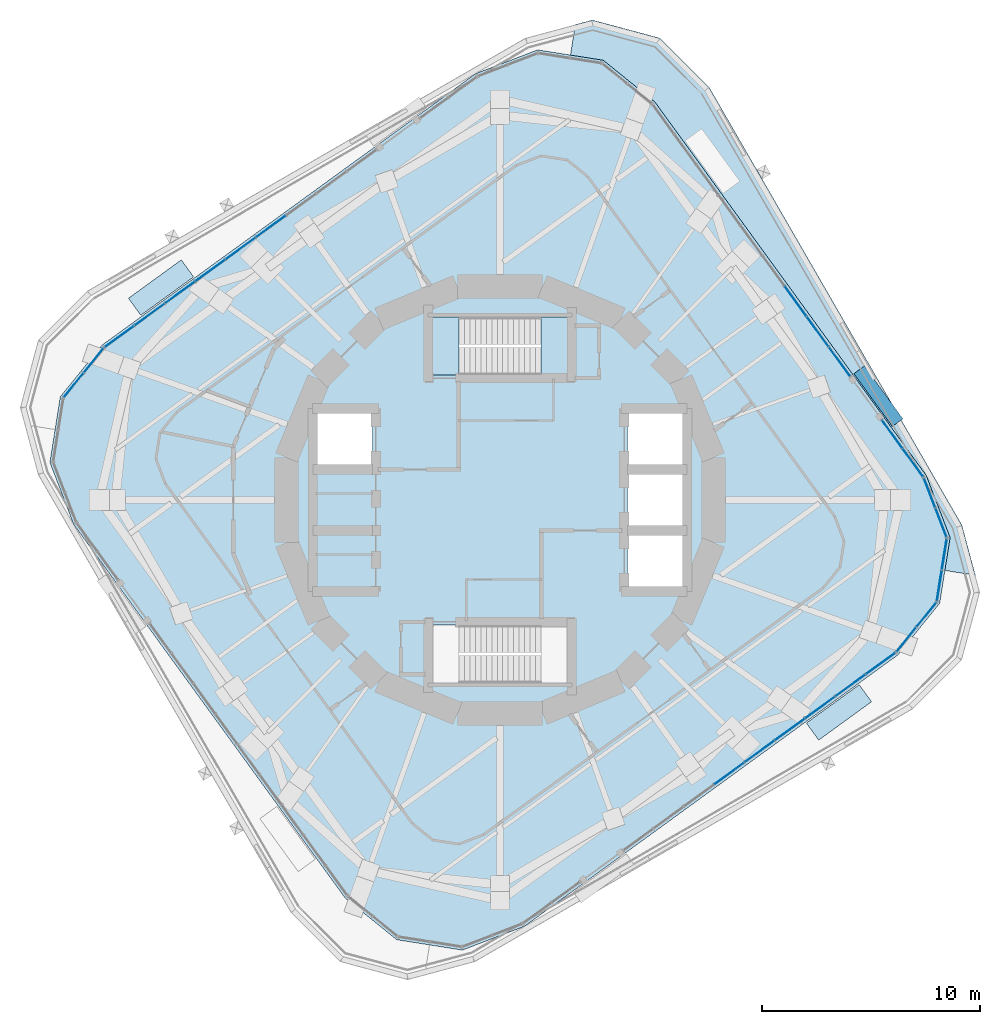
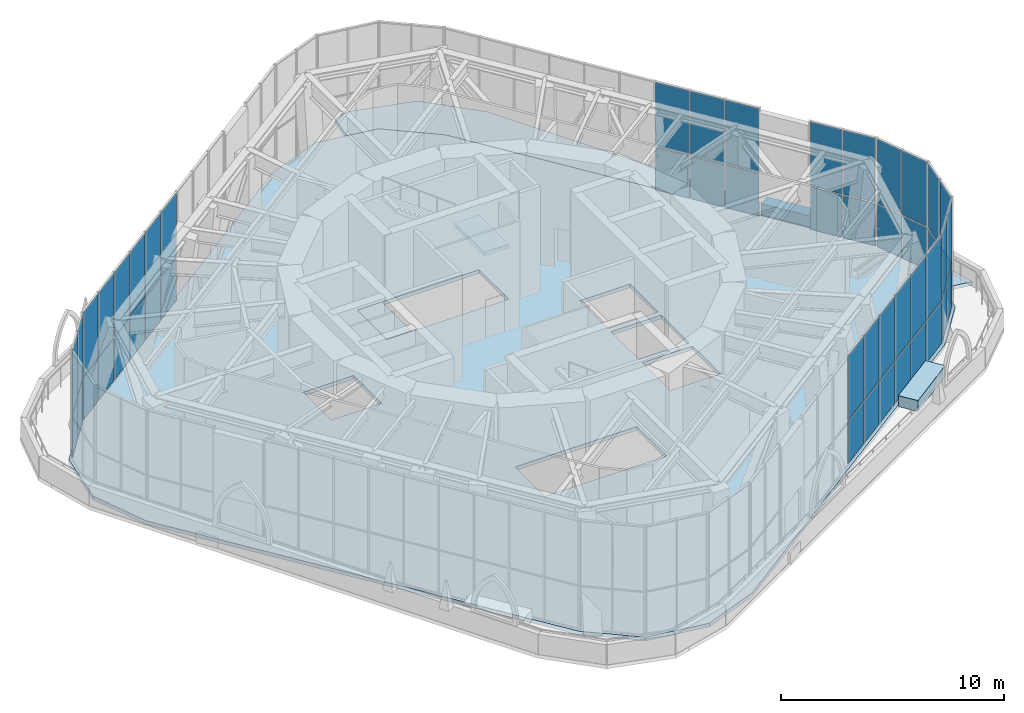
# One storey, part 11 of 18: 53 plates, 4 slabs, 9 elements without a shape of their own.
"""IFC4 building model written with IfcOpenShell, lengths in metres."""

from ifc_helpers import new_model, si_unit, direction, frame, origin, origin_2d, place, context, subcontext, project, spatial, polyline, rectangle, outline, extrude, material, layer, layer_set, type_object, element, aggregate, save


model = new_model("IFC4")

# Units and contexts
model_context = context("Model", 3, precision=1e-05, world=origin(), true_north=direction((0.0, 1.0)))
body_context = subcontext(model_context, "Body", "Model", "MODEL_VIEW")
ifc_project = project(units=[si_unit("LENGTHUNIT", "METRE"), si_unit("AREAUNIT", "SQUARE_METRE"), si_unit("VOLUMEUNIT", "CUBIC_METRE"), si_unit("PLANEANGLEUNIT", "RADIAN"), si_unit("MASSUNIT", "GRAM", prefix="KILO")], contexts=[model_context])

# Site, building, storey
site_placement = place(None, origin())
site = spatial("IfcSite", under=ifc_project, at=site_placement, CompositionType="ELEMENT")
building_placement = place(site_placement, origin())
building = spatial("IfcBuilding", under=site, at=building_placement, Name="Nakasero Lantern House", CompositionType="ELEMENT")
storey_placement = place(building_placement, frame((0.0, 0.0, 257.75)))
storey = spatial("IfcBuildingStorey", under=building, at=storey_placement, Name="L63", CompositionType="ELEMENT", Elevation=257.75)

# Slab
ifc_material_1 = material(Name="Concrete C35/45", Category="concrete")
ifc_layer_1 = layer(ifc_material_1, 0.199951171875)
ifc_layer_set_1 = layer_set([ifc_layer_1], Name="Composite floor slab 200")
slab_type_1 = type_object("IfcSlabType", Name="Composite floor slab 200", PredefinedType="FLOOR", material=ifc_layer_set_1)
slab_1_placement = place(storey_placement, frame((0.0, 0.0, -0.199951171875)))
element("IfcSlab", 1, at=slab_1_placement, inside=storey, type_object=slab_type_1, Name="Floor slab L63", PredefinedType="FLOOR", context=body_context, shape_type="SweptSolid", body=[
    extrude(outline(polyline([(7.1181640625, 18.27392578125), (4.744873046875, 20.196044921875), (1.728271484375, 20.673828125), (-1.122802734375, 19.579345703125), (-18.27392578125, 7.1181640625), (-20.196044921875, 4.744873046875), (-20.673828125, 1.728271484375), (-19.579345703125, -1.122802734375), (-7.1181640625, -18.27392578125), (-4.744873046875, -20.196044921875), (-1.728271484375, -20.673828125), (1.122802734375, -19.579345703125), (18.27392578125, -7.1181640625), (20.196044921875, -4.744873046875), (20.673828125, -1.728271484375), (19.579345703125, 1.122802734375), (7.1181640625, 18.27392578125)]), holes=[polyline([(-8.449951171875, 1.550048828125), (-5.85009765625, 1.550048828125), (-5.85009765625, 4.050048828125), (-8.449951171875, 4.050048828125), (-8.449951171875, 1.550048828125)]), polyline([(5.85009765625, -4.050048828125), (8.449951171875, -4.050048828125), (8.449951171875, -1.550048828125), (5.85009765625, -1.550048828125), (5.85009765625, -4.050048828125)]), polyline([(5.85009765625, -1.25), (8.449951171875, -1.25), (8.449951171875, 1.25), (5.85009765625, 1.25), (5.85009765625, -1.25)]), polyline([(5.85009765625, 1.550048828125), (8.449951171875, 1.550048828125), (8.449951171875, 4.050048828125), (5.85009765625, 4.050048828125), (5.85009765625, 1.550048828125)]), polyline([(-3.14990234375, 5.75), (3.14990234375, 5.75), (3.14990234375, 8.39990234375), (-3.14990234375, 8.39990234375), (-3.14990234375, 5.75)]), polyline([(-3.14990234375, -8.39990234375), (3.14990234375, -8.39990234375), (3.14990234375, -5.75), (-3.14990234375, -5.75), (-3.14990234375, -8.39990234375)])]), origin(), (0.0, 0.0, 1.0), 0.199951171875),
])

# Curtain wall, plates
ifc_material_2 = material(Name="Aluminium 6063-T6 and glass", Category="aluminium")
curtain_wall_type = type_object("IfcCurtainWallType", Name="Sky lounge glazing CW-3", PredefinedType="USERDEFINED", material=ifc_material_2)
curtain_wall_1_placement = place(storey_placement, origin())
curtain_wall_1 = element("IfcCurtainWall", 2, at=curtain_wall_1_placement, inside=storey, type_object=curtain_wall_type, Name="Curtain wall CW-3 L63", ObjectType="STICK CURTAIN WALL", PredefinedType="USERDEFINED")
ifc_material_3 = material(Name="Glass", Category="glass")
ifc_layer_2 = layer(ifc_material_3, 0.028076171875)
ifc_layer_set_2 = layer_set([ifc_layer_2], Name="Glazed panel CW-3")
plate_type_1 = type_object("IfcPlateType", Name="Glazed panel CW-3", PredefinedType="CURTAIN_PANEL", material=ifc_layer_set_2)
plate_1_placement = place(storey_placement, frame((18.964111328125, 1.71435546875, 0.06005859375), z_axis=(0.0, 0.0, 1.0), x_axis=(-0.58778525225, 0.809016994406, 0.0)))
plate_1 = element("IfcPlate", 3, at=plate_1_placement, type_object=plate_type_1, Name="CW-3 panel 1.1", PredefinedType="CURTAIN_PANEL", context=body_context, shape_type="SweptSolid", body=[
    extrude(rectangle(XDim=1.56005859375, YDim=0.028076171875, at=origin_2d()), origin(), (0.0, 0.0, 1.0), 2.31005859375),
])
plate_2_placement = place(storey_placement, frame((18.964111328125, 1.71435546875, 2.43017578125), z_axis=(0.0, 0.0, 1.0), x_axis=(-0.58778525225, 0.809016994406, 0.0)))
plate_2 = element("IfcPlate", 4, at=plate_2_placement, type_object=plate_type_1, Name="CW-3 panel 1.2", PredefinedType="CURTAIN_PANEL", context=body_context, shape_type="SweptSolid", body=[
    extrude(rectangle(XDim=1.56005859375, YDim=0.028076171875, at=origin_2d()), origin(), (0.0, 0.0, 1.0), 3.510009765625),
])
plate_3_placement = place(storey_placement, frame((18.011962890625, 3.02490234375, 0.06005859375), z_axis=(0.0, 0.0, 1.0), x_axis=(-0.58778525225, 0.809016994406, 0.0)))
plate_3 = element("IfcPlate", 5, at=plate_3_placement, type_object=plate_type_1, Name="CW-3 panel 2.1", PredefinedType="CURTAIN_PANEL", context=body_context, shape_type="SweptSolid", body=[
    extrude(rectangle(XDim=1.56005859375, YDim=0.028076171875, at=origin_2d()), origin(), (0.0, 0.0, 1.0), 2.31005859375),
])
plate_4_placement = place(storey_placement, frame((18.011962890625, 3.02490234375, 2.43017578125), z_axis=(0.0, 0.0, 1.0), x_axis=(-0.58778525225, 0.809016994406, 0.0)))
plate_4 = element("IfcPlate", 6, at=plate_4_placement, type_object=plate_type_1, Name="CW-3 panel 2.2", PredefinedType="CURTAIN_PANEL", context=body_context, shape_type="SweptSolid", body=[
    extrude(rectangle(XDim=1.56005859375, YDim=0.028076171875, at=origin_2d()), origin(), (0.0, 0.0, 1.0), 3.510009765625),
])
aggregate(curtain_wall_1, [plate_1, plate_2, plate_3, plate_4])

curtain_wall_2_placement = place(storey_placement, origin())
curtain_wall_2 = element("IfcCurtainWall", 7, at=curtain_wall_2_placement, inside=storey, type_object=curtain_wall_type, Name="Curtain wall CW-3 L63", ObjectType="STICK CURTAIN WALL", PredefinedType="USERDEFINED")
plate_5_placement = place(storey_placement, frame((-19.581298828125, 5.273681640625, 0.06005859375), z_axis=(0.0, 0.0, 1.0), x_axis=(-0.629320391091, -0.777145961424, 0.0)))
plate_5 = element("IfcPlate", 8, at=plate_5_placement, type_object=plate_type_1, Name="CW-3 panel 2.1", PredefinedType="CURTAIN_PANEL", context=body_context, shape_type="SweptSolid", body=[
    extrude(rectangle(XDim=1.398193359375, YDim=0.028076171875, at=origin_2d()), origin(), (0.0, 0.0, 1.0), 2.31005859375),
])
plate_6_placement = place(storey_placement, frame((-19.581298828125, 5.273681640625, 2.43017578125), z_axis=(0.0, 0.0, 1.0), x_axis=(-0.629320391091, -0.777145961424, 0.0)))
plate_6 = element("IfcPlate", 9, at=plate_6_placement, type_object=plate_type_1, Name="CW-3 panel 2.2", PredefinedType="CURTAIN_PANEL", context=body_context, shape_type="SweptSolid", body=[
    extrude(rectangle(XDim=1.398193359375, YDim=0.028076171875, at=origin_2d()), origin(), (0.0, 0.0, 1.0), 3.510009765625),
])

curtain_wall_3_placement = place(storey_placement, origin())
curtain_wall_3 = element("IfcCurtainWall", 10, at=curtain_wall_3_placement, inside=storey, type_object=curtain_wall_type, Name="Curtain wall CW-3 L63", ObjectType="STICK CURTAIN WALL", PredefinedType="USERDEFINED")
plate_7_placement = place(storey_placement, frame((19.581298828125, -5.273681640625, 0.06005859375), z_axis=(0.0, 0.0, 1.0), x_axis=(0.629320391091, 0.777145961424, 0.0)))
plate_7 = element("IfcPlate", 11, at=plate_7_placement, type_object=plate_type_1, Name="CW-3 panel 2.1", PredefinedType="CURTAIN_PANEL", context=body_context, shape_type="SweptSolid", body=[
    extrude(rectangle(XDim=1.398193359375, YDim=0.028076171875, at=origin_2d()), origin(), (0.0, 0.0, 1.0), 2.31005859375),
])
plate_8_placement = place(storey_placement, frame((19.581298828125, -5.273681640625, 2.43017578125), z_axis=(0.0, 0.0, 1.0), x_axis=(0.629320391091, 0.777145961424, 0.0)))
plate_8 = element("IfcPlate", 12, at=plate_8_placement, type_object=plate_type_1, Name="CW-3 panel 2.2", PredefinedType="CURTAIN_PANEL", context=body_context, shape_type="SweptSolid", body=[
    extrude(rectangle(XDim=1.398193359375, YDim=0.028076171875, at=origin_2d()), origin(), (0.0, 0.0, 1.0), 3.510009765625),
])

curtain_wall_4_placement = place(storey_placement, origin())
curtain_wall_4 = element("IfcCurtainWall", 13, at=curtain_wall_4_placement, inside=storey, type_object=curtain_wall_type, Name="Curtain wall CW-3 L63", ObjectType="STICK CURTAIN WALL", PredefinedType="USERDEFINED")
plate_9_placement = place(storey_placement, frame((20.177734375, -3.93408203125, 0.06005859375), z_axis=(0.0, 0.0, 1.0), x_axis=(0.15643446504, 0.987688340595, 0.0)))
plate_9 = element("IfcPlate", 14, at=plate_9_placement, type_object=plate_type_1, Name="CW-3 panel 1.1", PredefinedType="CURTAIN_PANEL", context=body_context, shape_type="SweptSolid", body=[
    extrude(rectangle(XDim=1.398193359375, YDim=0.028076171875, at=origin_2d()), origin(), (0.0, 0.0, 1.0), 2.31005859375),
])
plate_10_placement = place(storey_placement, frame((20.177734375, -3.93408203125, 2.43017578125), z_axis=(0.0, 0.0, 1.0), x_axis=(0.15643446504, 0.987688340595, 0.0)))
plate_10 = element("IfcPlate", 15, at=plate_10_placement, type_object=plate_type_1, Name="CW-3 panel 1.2", PredefinedType="CURTAIN_PANEL", context=body_context, shape_type="SweptSolid", body=[
    extrude(rectangle(XDim=1.398193359375, YDim=0.028076171875, at=origin_2d()), origin(), (0.0, 0.0, 1.0), 3.510009765625),
])
plate_11_placement = place(storey_placement, frame((20.40576171875, -2.493896484375, 0.06005859375), z_axis=(0.0, 0.0, 1.0), x_axis=(0.15643446504, 0.987688340595, 0.0)))
plate_11 = element("IfcPlate", 16, at=plate_11_placement, type_object=plate_type_1, Name="CW-3 panel 2.1", PredefinedType="CURTAIN_PANEL", context=body_context, shape_type="SweptSolid", body=[
    extrude(rectangle(XDim=1.398193359375, YDim=0.028076171875, at=origin_2d()), origin(), (0.0, 0.0, 1.0), 2.31005859375),
])
plate_12_placement = place(storey_placement, frame((20.40576171875, -2.493896484375, 2.43017578125), z_axis=(0.0, 0.0, 1.0), x_axis=(0.15643446504, 0.987688340595, 0.0)))
plate_12 = element("IfcPlate", 17, at=plate_12_placement, type_object=plate_type_1, Name="CW-3 panel 2.2", PredefinedType="CURTAIN_PANEL", context=body_context, shape_type="SweptSolid", body=[
    extrude(rectangle(XDim=1.398193359375, YDim=0.028076171875, at=origin_2d()), origin(), (0.0, 0.0, 1.0), 3.510009765625),
])
aggregate(curtain_wall_4, [plate_9, plate_10, plate_11, plate_12])

curtain_wall_5_placement = place(storey_placement, origin())
curtain_wall_5 = element("IfcCurtainWall", 18, at=curtain_wall_5_placement, inside=storey, type_object=curtain_wall_type, Name="Curtain wall CW-3 L63", ObjectType="STICK CURTAIN WALL", PredefinedType="USERDEFINED")
plate_13_placement = place(storey_placement, frame((20.252685546875, -1.035400390625, 0.06005859375), z_axis=(0.0, 0.0, 1.0), x_axis=(-0.35836794961, 0.933580426472, 0.0)))
plate_13 = element("IfcPlate", 19, at=plate_13_placement, type_object=plate_type_1, Name="CW-3 panel 1.1", PredefinedType="CURTAIN_PANEL", context=body_context, shape_type="SweptSolid", body=[
    extrude(rectangle(XDim=1.398193359375, YDim=0.028076171875, at=origin_2d()), origin(), (0.0, 0.0, 1.0), 2.31005859375),
])
plate_14_placement = place(storey_placement, frame((20.252685546875, -1.035400390625, 2.43017578125), z_axis=(0.0, 0.0, 1.0), x_axis=(-0.35836794961, 0.933580426472, 0.0)))
plate_14 = element("IfcPlate", 20, at=plate_14_placement, type_object=plate_type_1, Name="CW-3 panel 1.2", PredefinedType="CURTAIN_PANEL", context=body_context, shape_type="SweptSolid", body=[
    extrude(rectangle(XDim=1.398193359375, YDim=0.028076171875, at=origin_2d()), origin(), (0.0, 0.0, 1.0), 3.510009765625),
])
plate_15_placement = place(storey_placement, frame((19.72998046875, 0.325927734375, 0.06005859375), z_axis=(0.0, 0.0, 1.0), x_axis=(-0.35836794961, 0.933580426472, 0.0)))
plate_15 = element("IfcPlate", 21, at=plate_15_placement, type_object=plate_type_1, Name="CW-3 panel 2.1", PredefinedType="CURTAIN_PANEL", context=body_context, shape_type="SweptSolid", body=[
    extrude(rectangle(XDim=1.398193359375, YDim=0.028076171875, at=origin_2d()), origin(), (0.0, 0.0, 1.0), 2.31005859375),
])
plate_16_placement = place(storey_placement, frame((19.72998046875, 0.325927734375, 2.43017578125), z_axis=(0.0, 0.0, 1.0), x_axis=(-0.35836794961, 0.933580426472, 0.0)))
plate_16 = element("IfcPlate", 22, at=plate_16_placement, type_object=plate_type_1, Name="CW-3 panel 2.2", PredefinedType="CURTAIN_PANEL", context=body_context, shape_type="SweptSolid", body=[
    extrude(rectangle(XDim=1.398193359375, YDim=0.028076171875, at=origin_2d()), origin(), (0.0, 0.0, 1.0), 3.510009765625),
])
aggregate(curtain_wall_5, [plate_13, plate_14, plate_15, plate_16])

curtain_wall_6_placement = place(storey_placement, origin())
curtain_wall_6 = element("IfcCurtainWall", 23, at=curtain_wall_6_placement, inside=storey, type_object=curtain_wall_type, Name="Curtain wall CW-3 L63", ObjectType="STICK CURTAIN WALL", PredefinedType="USERDEFINED")
ifc_material_4 = material(Name="Aluminium 6063-T6 and insulation", Category="aluminium")
ifc_layer_3 = layer(ifc_material_4, 0.028076171875)
ifc_layer_set_3 = layer_set([ifc_layer_3], Name="Insulated panel CW-3")
plate_type_2 = type_object("IfcPlateType", Name="Insulated panel CW-3", PredefinedType="CURTAIN_PANEL", material=ifc_layer_set_3)
plate_17_placement = place(storey_placement, frame((15.592529296875, 6.35498046875, 0.06005859375), z_axis=(0.0, 0.0, 1.0), x_axis=(-0.587785252292, 0.809016994375, 0.0)))
plate_17 = element("IfcPlate", 24, at=plate_17_placement, type_object=plate_type_2, Name="CW-3 panel 1.1", PredefinedType="CURTAIN_PANEL", context=body_context, shape_type="SweptSolid", body=[
    extrude(rectangle(XDim=1.63232421875, YDim=0.028076171875, at=origin_2d()), origin(), (0.0, 0.0, 1.0), 2.31005859375),
])
plate_18_placement = place(storey_placement, frame((15.592529296875, 6.35498046875, 2.43017578125), z_axis=(0.0, 0.0, 1.0), x_axis=(-0.587785252292, 0.809016994375, 0.0)))
plate_18 = element("IfcPlate", 25, at=plate_18_placement, type_object=plate_type_2, Name="CW-3 panel 1.2", PredefinedType="CURTAIN_PANEL", context=body_context, shape_type="SweptSolid", body=[
    extrude(rectangle(XDim=1.63232421875, YDim=0.028076171875, at=origin_2d()), origin(), (0.0, 0.0, 1.0), 3.510009765625),
])
plate_19_placement = place(storey_placement, frame((14.589111328125, 7.736083984375, 0.06005859375), z_axis=(0.0, 0.0, 1.0), x_axis=(-0.587785252292, 0.809016994375, 0.0)))
plate_19 = element("IfcPlate", 26, at=plate_19_placement, type_object=plate_type_2, Name="CW-3 panel 2.1", PredefinedType="CURTAIN_PANEL", context=body_context, shape_type="SweptSolid", body=[
    extrude(rectangle(XDim=1.662109375, YDim=0.028076171875, at=origin_2d()), origin(), (0.0, 0.0, 1.0), 2.31005859375),
])
plate_20_placement = place(storey_placement, frame((14.589111328125, 7.736083984375, 2.43017578125), z_axis=(0.0, 0.0, 1.0), x_axis=(-0.587785252292, 0.809016994375, 0.0)))
plate_20 = element("IfcPlate", 27, at=plate_20_placement, type_object=plate_type_2, Name="CW-3 panel 2.2", PredefinedType="CURTAIN_PANEL", context=body_context, shape_type="SweptSolid", body=[
    extrude(rectangle(XDim=1.662109375, YDim=0.028076171875, at=origin_2d()), origin(), (0.0, 0.0, 1.0), 3.510009765625),
])
plate_21_placement = place(storey_placement, frame((13.576904296875, 9.12939453125, 0.06005859375), z_axis=(0.0, 0.0, 1.0), x_axis=(-0.587785252292, 0.809016994375, 0.0)))
plate_21 = element("IfcPlate", 28, at=plate_21_placement, type_object=plate_type_2, Name="CW-3 panel 3.1", PredefinedType="CURTAIN_PANEL", context=body_context, shape_type="SweptSolid", body=[
    extrude(rectangle(XDim=1.662109375, YDim=0.028076171875, at=origin_2d()), origin(), (0.0, 0.0, 1.0), 2.31005859375),
])
plate_22_placement = place(storey_placement, frame((13.576904296875, 9.12939453125, 2.43017578125), z_axis=(0.0, 0.0, 1.0), x_axis=(-0.587785252292, 0.809016994375, 0.0)))
plate_22 = element("IfcPlate", 29, at=plate_22_placement, type_object=plate_type_2, Name="CW-3 panel 3.2", PredefinedType="CURTAIN_PANEL", context=body_context, shape_type="SweptSolid", body=[
    extrude(rectangle(XDim=1.662109375, YDim=0.028076171875, at=origin_2d()), origin(), (0.0, 0.0, 1.0), 3.510009765625),
])
aggregate(curtain_wall_6, [plate_17, plate_18, plate_19, plate_20, plate_21, plate_22])

curtain_wall_7_placement = place(storey_placement, origin())
curtain_wall_7 = element("IfcCurtainWall", 30, at=curtain_wall_7_placement, inside=storey, type_object=curtain_wall_type, Name="Curtain wall CW-3 L63", ObjectType="STICK CURTAIN WALL", PredefinedType="USERDEFINED")
plate_23_placement = place(storey_placement, frame((-10.522705078125, 12.564453125, 0.06005859375), z_axis=(0.0, 0.0, 1.0), x_axis=(-0.809016994375, -0.587785252292, 0.0)))
plate_23 = element("IfcPlate", 31, at=plate_23_placement, type_object=plate_type_2, Name="CW-3 panel 4.1", PredefinedType="CURTAIN_PANEL", context=body_context, shape_type="SweptSolid", body=[
    extrude(rectangle(XDim=1.662109375, YDim=0.028076171875, at=origin_2d()), origin(), (0.0, 0.0, 1.0), 2.31005859375),
])
plate_24_placement = place(storey_placement, frame((-10.522705078125, 12.564453125, 2.43017578125), z_axis=(0.0, 0.0, 1.0), x_axis=(-0.809016994375, -0.587785252292, 0.0)))
plate_24 = element("IfcPlate", 32, at=plate_24_placement, type_object=plate_type_2, Name="CW-3 panel 4.2", PredefinedType="CURTAIN_PANEL", context=body_context, shape_type="SweptSolid", body=[
    extrude(rectangle(XDim=1.662109375, YDim=0.028076171875, at=origin_2d()), origin(), (0.0, 0.0, 1.0), 3.510009765625),
])
plate_25_placement = place(storey_placement, frame((-11.916015625, 11.55224609375, 0.06005859375), z_axis=(0.0, 0.0, 1.0), x_axis=(-0.809016994375, -0.587785252292, 0.0)))
plate_25 = element("IfcPlate", 33, at=plate_25_placement, type_object=plate_type_2, Name="CW-3 panel 5.1", PredefinedType="CURTAIN_PANEL", context=body_context, shape_type="SweptSolid", body=[
    extrude(rectangle(XDim=1.662109375, YDim=0.028076171875, at=origin_2d()), origin(), (0.0, 0.0, 1.0), 2.31005859375),
])
plate_26_placement = place(storey_placement, frame((-11.916015625, 11.55224609375, 2.43017578125), z_axis=(0.0, 0.0, 1.0), x_axis=(-0.809016994375, -0.587785252292, 0.0)))
plate_26 = element("IfcPlate", 34, at=plate_26_placement, type_object=plate_type_2, Name="CW-3 panel 5.2", PredefinedType="CURTAIN_PANEL", context=body_context, shape_type="SweptSolid", body=[
    extrude(rectangle(XDim=1.662109375, YDim=0.028076171875, at=origin_2d()), origin(), (0.0, 0.0, 1.0), 3.510009765625),
])
plate_27_placement = place(storey_placement, frame((-13.309326171875, 10.5400390625, 0.06005859375), z_axis=(0.0, 0.0, 1.0), x_axis=(-0.809016994375, -0.587785252292, 0.0)))
plate_27 = element("IfcPlate", 35, at=plate_27_placement, type_object=plate_type_2, Name="CW-3 panel 6.1", PredefinedType="CURTAIN_PANEL", context=body_context, shape_type="SweptSolid", body=[
    extrude(rectangle(XDim=1.662109375, YDim=0.028076171875, at=origin_2d()), origin(), (0.0, 0.0, 1.0), 2.31005859375),
])
plate_28_placement = place(storey_placement, frame((-13.309326171875, 10.5400390625, 2.43017578125), z_axis=(0.0, 0.0, 1.0), x_axis=(-0.809016994375, -0.587785252292, 0.0)))
plate_28 = element("IfcPlate", 36, at=plate_28_placement, type_object=plate_type_2, Name="CW-3 panel 6.2", PredefinedType="CURTAIN_PANEL", context=body_context, shape_type="SweptSolid", body=[
    extrude(rectangle(XDim=1.662109375, YDim=0.028076171875, at=origin_2d()), origin(), (0.0, 0.0, 1.0), 3.510009765625),
])
plate_29_placement = place(storey_placement, frame((-14.70263671875, 9.527587890625, 0.06005859375), z_axis=(0.0, 0.0, 1.0), x_axis=(-0.809016994375, -0.587785252292, 0.0)))
plate_29 = element("IfcPlate", 37, at=plate_29_placement, type_object=plate_type_2, Name="CW-3 panel 7.1", PredefinedType="CURTAIN_PANEL", context=body_context, shape_type="SweptSolid", body=[
    extrude(rectangle(XDim=1.662109375, YDim=0.028076171875, at=origin_2d()), origin(), (0.0, 0.0, 1.0), 2.31005859375),
])
plate_30_placement = place(storey_placement, frame((-14.70263671875, 9.527587890625, 2.43017578125), z_axis=(0.0, 0.0, 1.0), x_axis=(-0.809016994375, -0.587785252292, 0.0)))
plate_30 = element("IfcPlate", 38, at=plate_30_placement, type_object=plate_type_2, Name="CW-3 panel 7.2", PredefinedType="CURTAIN_PANEL", context=body_context, shape_type="SweptSolid", body=[
    extrude(rectangle(XDim=1.662109375, YDim=0.028076171875, at=origin_2d()), origin(), (0.0, 0.0, 1.0), 3.510009765625),
])
plate_31_placement = place(storey_placement, frame((-16.095947265625, 8.515380859375, 0.06005859375), z_axis=(0.0, 0.0, 1.0), x_axis=(-0.809016994375, -0.587785252292, 0.0)))
plate_31 = element("IfcPlate", 39, at=plate_31_placement, type_object=plate_type_2, Name="CW-3 panel 8.1", PredefinedType="CURTAIN_PANEL", context=body_context, shape_type="SweptSolid", body=[
    extrude(rectangle(XDim=1.662109375, YDim=0.028076171875, at=origin_2d()), origin(), (0.0, 0.0, 1.0), 2.31005859375),
])
plate_32_placement = place(storey_placement, frame((-16.095947265625, 8.515380859375, 2.43017578125), z_axis=(0.0, 0.0, 1.0), x_axis=(-0.809016994375, -0.587785252292, 0.0)))
plate_32 = element("IfcPlate", 40, at=plate_32_placement, type_object=plate_type_2, Name="CW-3 panel 8.2", PredefinedType="CURTAIN_PANEL", context=body_context, shape_type="SweptSolid", body=[
    extrude(rectangle(XDim=1.662109375, YDim=0.028076171875, at=origin_2d()), origin(), (0.0, 0.0, 1.0), 3.510009765625),
])
plate_33_placement = place(storey_placement, frame((-17.47705078125, 7.511962890625, 0.06005859375), z_axis=(0.0, 0.0, 1.0), x_axis=(-0.809016994375, -0.587785252292, 0.0)))
plate_33 = element("IfcPlate", 41, at=plate_33_placement, type_object=plate_type_2, Name="CW-3 panel 9.1", PredefinedType="CURTAIN_PANEL", context=body_context, shape_type="SweptSolid", body=[
    extrude(rectangle(XDim=1.63232421875, YDim=0.028076171875, at=origin_2d()), origin(), (0.0, 0.0, 1.0), 2.31005859375),
])
plate_34_placement = place(storey_placement, frame((-17.47705078125, 7.511962890625, 2.43017578125), z_axis=(0.0, 0.0, 1.0), x_axis=(-0.809016994375, -0.587785252292, 0.0)))
plate_34 = element("IfcPlate", 42, at=plate_34_placement, type_object=plate_type_2, Name="CW-3 panel 9.2", PredefinedType="CURTAIN_PANEL", context=body_context, shape_type="SweptSolid", body=[
    extrude(rectangle(XDim=1.63232421875, YDim=0.028076171875, at=origin_2d()), origin(), (0.0, 0.0, 1.0), 3.510009765625),
])
aggregate(curtain_wall_7, [plate_23, plate_24, plate_25, plate_26, plate_27, plate_28, plate_29, plate_30, plate_31, plate_32, plate_33, plate_34])

# Plate
plate_35_placement = place(storey_placement, frame((-18.66357421875, 6.406982421875, 0.06005859375), z_axis=(0.0, 0.0, 1.0), x_axis=(-0.629320391091, -0.777145961424, 0.0)))
plate_35 = element("IfcPlate", 43, at=plate_35_placement, type_object=plate_type_2, Name="CW-3 panel 1.1", PredefinedType="CURTAIN_PANEL", context=body_context, shape_type="SweptSolid", body=[
    extrude(rectangle(XDim=1.398193359375, YDim=0.028076171875, at=origin_2d()), origin(), (0.0, 0.0, 1.0), 2.31005859375),
])

plate_36_placement = place(storey_placement, frame((-18.66357421875, 6.406982421875, 2.43017578125), z_axis=(0.0, 0.0, 1.0), x_axis=(-0.629320391091, -0.777145961424, 0.0)))
plate_36 = element("IfcPlate", 44, at=plate_36_placement, type_object=plate_type_2, Name="CW-3 panel 1.2", PredefinedType="CURTAIN_PANEL", context=body_context, shape_type="SweptSolid", body=[
    extrude(rectangle(XDim=1.398193359375, YDim=0.028076171875, at=origin_2d()), origin(), (0.0, 0.0, 1.0), 3.510009765625),
])

aggregate(curtain_wall_2, [plate_35, plate_36, plate_5, plate_6])

# Curtain wall, plates
curtain_wall_8_placement = place(storey_placement, origin())
curtain_wall_8 = element("IfcCurtainWall", 45, at=curtain_wall_8_placement, inside=storey, type_object=curtain_wall_type, Name="Curtain wall CW-3 L63", ObjectType="STICK CURTAIN WALL", PredefinedType="USERDEFINED")
plate_37_placement = place(storey_placement, frame((10.522705078125, -12.564453125, 0.06005859375), z_axis=(0.0, 0.0, 1.0), x_axis=(0.809016994375, 0.587785252292, 0.0)))
plate_37 = element("IfcPlate", 46, at=plate_37_placement, type_object=plate_type_2, Name="CW-3 panel 4.1", PredefinedType="CURTAIN_PANEL", context=body_context, shape_type="SweptSolid", body=[
    extrude(rectangle(XDim=1.662109375, YDim=0.028076171875, at=origin_2d()), origin(), (0.0, 0.0, 1.0), 2.31005859375),
])
plate_38_placement = place(storey_placement, frame((10.522705078125, -12.564453125, 2.43017578125), z_axis=(0.0, 0.0, 1.0), x_axis=(0.809016994375, 0.587785252292, 0.0)))
plate_38 = element("IfcPlate", 47, at=plate_38_placement, type_object=plate_type_2, Name="CW-3 panel 4.2", PredefinedType="CURTAIN_PANEL", context=body_context, shape_type="SweptSolid", body=[
    extrude(rectangle(XDim=1.662109375, YDim=0.028076171875, at=origin_2d()), origin(), (0.0, 0.0, 1.0), 3.510009765625),
])
plate_39_placement = place(storey_placement, frame((11.916015625, -11.55224609375, 0.06005859375), z_axis=(0.0, 0.0, 1.0), x_axis=(0.809016994375, 0.587785252292, 0.0)))
plate_39 = element("IfcPlate", 48, at=plate_39_placement, type_object=plate_type_2, Name="CW-3 panel 5.1", PredefinedType="CURTAIN_PANEL", context=body_context, shape_type="SweptSolid", body=[
    extrude(rectangle(XDim=1.662109375, YDim=0.028076171875, at=origin_2d()), origin(), (0.0, 0.0, 1.0), 2.31005859375),
])
plate_40_placement = place(storey_placement, frame((11.916015625, -11.55224609375, 2.43017578125), z_axis=(0.0, 0.0, 1.0), x_axis=(0.809016994375, 0.587785252292, 0.0)))
plate_40 = element("IfcPlate", 49, at=plate_40_placement, type_object=plate_type_2, Name="CW-3 panel 5.2", PredefinedType="CURTAIN_PANEL", context=body_context, shape_type="SweptSolid", body=[
    extrude(rectangle(XDim=1.662109375, YDim=0.028076171875, at=origin_2d()), origin(), (0.0, 0.0, 1.0), 3.510009765625),
])
plate_41_placement = place(storey_placement, frame((13.309326171875, -10.5400390625, 0.06005859375), z_axis=(0.0, 0.0, 1.0), x_axis=(0.809016994375, 0.587785252292, 0.0)))
plate_41 = element("IfcPlate", 50, at=plate_41_placement, type_object=plate_type_2, Name="CW-3 panel 6.1", PredefinedType="CURTAIN_PANEL", context=body_context, shape_type="SweptSolid", body=[
    extrude(rectangle(XDim=1.662109375, YDim=0.028076171875, at=origin_2d()), origin(), (0.0, 0.0, 1.0), 2.31005859375),
])
plate_42_placement = place(storey_placement, frame((13.309326171875, -10.5400390625, 2.43017578125), z_axis=(0.0, 0.0, 1.0), x_axis=(0.809016994375, 0.587785252292, 0.0)))
plate_42 = element("IfcPlate", 51, at=plate_42_placement, type_object=plate_type_2, Name="CW-3 panel 6.2", PredefinedType="CURTAIN_PANEL", context=body_context, shape_type="SweptSolid", body=[
    extrude(rectangle(XDim=1.662109375, YDim=0.028076171875, at=origin_2d()), origin(), (0.0, 0.0, 1.0), 3.510009765625),
])
plate_43_placement = place(storey_placement, frame((14.70263671875, -9.527587890625, 0.06005859375), z_axis=(0.0, 0.0, 1.0), x_axis=(0.809016994375, 0.587785252292, 0.0)))
plate_43 = element("IfcPlate", 52, at=plate_43_placement, type_object=plate_type_2, Name="CW-3 panel 7.1", PredefinedType="CURTAIN_PANEL", context=body_context, shape_type="SweptSolid", body=[
    extrude(rectangle(XDim=1.662109375, YDim=0.028076171875, at=origin_2d()), origin(), (0.0, 0.0, 1.0), 2.31005859375),
])
plate_44_placement = place(storey_placement, frame((14.70263671875, -9.527587890625, 2.43017578125), z_axis=(0.0, 0.0, 1.0), x_axis=(0.809016994375, 0.587785252292, 0.0)))
plate_44 = element("IfcPlate", 53, at=plate_44_placement, type_object=plate_type_2, Name="CW-3 panel 7.2", PredefinedType="CURTAIN_PANEL", context=body_context, shape_type="SweptSolid", body=[
    extrude(rectangle(XDim=1.662109375, YDim=0.028076171875, at=origin_2d()), origin(), (0.0, 0.0, 1.0), 3.510009765625),
])
plate_45_placement = place(storey_placement, frame((16.095947265625, -8.515380859375, 0.06005859375), z_axis=(0.0, 0.0, 1.0), x_axis=(0.809016994375, 0.587785252292, 0.0)))
plate_45 = element("IfcPlate", 54, at=plate_45_placement, type_object=plate_type_2, Name="CW-3 panel 8.1", PredefinedType="CURTAIN_PANEL", context=body_context, shape_type="SweptSolid", body=[
    extrude(rectangle(XDim=1.662109375, YDim=0.028076171875, at=origin_2d()), origin(), (0.0, 0.0, 1.0), 2.31005859375),
])
plate_46_placement = place(storey_placement, frame((16.095947265625, -8.515380859375, 2.43017578125), z_axis=(0.0, 0.0, 1.0), x_axis=(0.809016994375, 0.587785252292, 0.0)))
plate_46 = element("IfcPlate", 55, at=plate_46_placement, type_object=plate_type_2, Name="CW-3 panel 8.2", PredefinedType="CURTAIN_PANEL", context=body_context, shape_type="SweptSolid", body=[
    extrude(rectangle(XDim=1.662109375, YDim=0.028076171875, at=origin_2d()), origin(), (0.0, 0.0, 1.0), 3.510009765625),
])
plate_47_placement = place(storey_placement, frame((17.47705078125, -7.511962890625, 0.06005859375), z_axis=(0.0, 0.0, 1.0), x_axis=(0.809016994375, 0.587785252292, 0.0)))
plate_47 = element("IfcPlate", 56, at=plate_47_placement, type_object=plate_type_2, Name="CW-3 panel 9.1", PredefinedType="CURTAIN_PANEL", context=body_context, shape_type="SweptSolid", body=[
    extrude(rectangle(XDim=1.63232421875, YDim=0.028076171875, at=origin_2d()), origin(), (0.0, 0.0, 1.0), 2.31005859375),
])
plate_48_placement = place(storey_placement, frame((17.47705078125, -7.511962890625, 2.43017578125), z_axis=(0.0, 0.0, 1.0), x_axis=(0.809016994375, 0.587785252292, 0.0)))
plate_48 = element("IfcPlate", 57, at=plate_48_placement, type_object=plate_type_2, Name="CW-3 panel 9.2", PredefinedType="CURTAIN_PANEL", context=body_context, shape_type="SweptSolid", body=[
    extrude(rectangle(XDim=1.63232421875, YDim=0.028076171875, at=origin_2d()), origin(), (0.0, 0.0, 1.0), 3.510009765625),
])
aggregate(curtain_wall_8, [plate_37, plate_38, plate_39, plate_40, plate_41, plate_42, plate_43, plate_44, plate_45, plate_46, plate_47, plate_48])

# Plate
plate_49_placement = place(storey_placement, frame((18.66357421875, -6.406982421875, 0.06005859375), z_axis=(0.0, 0.0, 1.0), x_axis=(0.629320391091, 0.777145961424, 0.0)))
plate_49 = element("IfcPlate", 58, at=plate_49_placement, type_object=plate_type_2, Name="CW-3 panel 1.1", PredefinedType="CURTAIN_PANEL", context=body_context, shape_type="SweptSolid", body=[
    extrude(rectangle(XDim=1.398193359375, YDim=0.028076171875, at=origin_2d()), origin(), (0.0, 0.0, 1.0), 2.31005859375),
])

plate_50_placement = place(storey_placement, frame((18.66357421875, -6.406982421875, 2.43017578125), z_axis=(0.0, 0.0, 1.0), x_axis=(0.629320391091, 0.777145961424, 0.0)))
plate_50 = element("IfcPlate", 59, at=plate_50_placement, type_object=plate_type_2, Name="CW-3 panel 1.2", PredefinedType="CURTAIN_PANEL", context=body_context, shape_type="SweptSolid", body=[
    extrude(rectangle(XDim=1.398193359375, YDim=0.028076171875, at=origin_2d()), origin(), (0.0, 0.0, 1.0), 3.510009765625),
])

aggregate(curtain_wall_3, [plate_49, plate_50, plate_7, plate_8])

# Plates
ifc_material_5 = material(Name="Aluminium 6063-T6", Category="aluminium")
ifc_layer_4 = layer(ifc_material_5, 0.60009765625)
ifc_layer_set_4 = layer_set([ifc_layer_4], Name="Sky garden planter 1200x3000")
plate_type_3 = type_object("IfcPlateType", Name="Sky garden planter 1200x3000", PredefinedType="USERDEFINED", material=ifc_layer_set_4)
plate_51_placement = place(storey_placement, frame((17.37841796875, 4.7646484375, 0.0), z_axis=(0.0, 0.0, 1.0), x_axis=(0.809016994375, 0.587785252292, 0.0)))
element("IfcPlate", 60, at=plate_51_placement, inside=storey, type_object=plate_type_3, Name="Sky garden PLANTER L63 00", ObjectType="PLANTER", PredefinedType="USERDEFINED", context=body_context, shape_type="SweptSolid", body=[
    extrude(rectangle(XDim=0.60009765625, YDim=3.0, at=origin_2d()), origin(), (0.0, 0.0, 1.0), 0.60009765625),
])
for number, where, z_axis, x_axis, name in (
    (61, (-15.567626953125, 9.756103515625, 0.0), (0.0, 0.0, 1.0), (-0.587785252292, 0.809016994375, 0.0), "Sky garden PLANTER L63 11"),
    (62, (15.567626953125, -9.756103515625, 0.0), (0.0, 0.0, 1.0), (0.587785252292, -0.809016994375, 0.0), "Sky garden PLANTER L63 31"),
):
    element("IfcPlate", number, at=place(storey_placement, frame(where, z_axis=z_axis, x_axis=x_axis)), inside=storey, type_object=plate_type_3, Name=name, ObjectType="PLANTER", PredefinedType="USERDEFINED", context=body_context, shape_type="SweptSolid", body=[
        extrude(rectangle(XDim=0.96630859375, YDim=3.0, at=origin_2d()), origin(), (0.0, 0.0, 1.0), 0.60009765625),
    ])

# Slab
ifc_material_6 = material(Name="Concrete C35/45", Category="concrete")
ifc_layer_5 = layer(ifc_material_6, 0.199951171875)
ifc_layer_set_5 = layer_set([ifc_layer_5], Name="Sky garden terrace slab 200")
slab_type_2 = type_object("IfcSlabType", Name="Sky garden terrace slab 200", PredefinedType="USERDEFINED", material=ifc_layer_set_5)
slab_2_placement = place(storey_placement, frame((0.0, 0.0, -0.199951171875)))
element("IfcSlab", 63, at=slab_2_placement, inside=storey, type_object=slab_type_2, Name="Sky garden terrace L63 E", ObjectType="TERRACE", PredefinedType="USERDEFINED", context=body_context, shape_type="SweptSolid", body=[
    extrude(outline(polyline([(21.8349609375, -3.458251953125), (20.434814453125, -3.236572265625), (20.673828125, -1.728271484375), (19.579345703125, 1.122802734375), (7.1181640625, 18.27392578125), (4.744873046875, 20.196044921875), (3.236572265625, 20.434814453125), (3.458251953125, 21.8349609375), (4.245849609375, 22.0458984375), (7.345947265625, 21.21533203125), (9.615234375, 18.94580078125), (21.21533203125, -1.14599609375), (21.8349609375, -3.458251953125)])), origin(), (0.0, 0.0, 1.0), 0.199951171875),
])

# Stair, slabs
ifc_material_7 = material(Name="Concrete C40/50", Category="concrete")
stair_type = type_object("IfcStairType", Name="Escape stair ST1 32 risers", PredefinedType="HALF_TURN_STAIR", material=ifc_material_7)
stair_placement = place(storey_placement, origin())
stair = element("IfcStair", 64, at=stair_placement, inside=storey, type_object=stair_type, Name="Escape stair ST1 L63", PredefinedType="HALF_TURN_STAIR")
ifc_material_8 = material(Name="Concrete C40/50", Category="concrete")
ifc_layer_6 = layer(ifc_material_8, 0.199951171875)
ifc_layer_set_6 = layer_set([ifc_layer_6], Name="Stair landing 200")
slab_type_3 = type_object("IfcSlabType", Name="Stair landing 200", PredefinedType="LANDING", material=ifc_layer_set_6)
slab_3_placement = place(storey_placement, frame((0.0, 0.0, -0.199951171875)))
slab_3 = element("IfcSlab", 65, at=slab_3_placement, type_object=slab_type_3, Name="ST1 landing 1", PredefinedType="LANDING", context=body_context, shape_type="SweptSolid", body=[
    extrude(outline(polyline([(-3.14990234375, 5.75), (-1.875, 5.75), (-1.875, 8.39990234375), (-3.14990234375, 8.39990234375), (-3.14990234375, 5.75)])), origin(), (0.0, 0.0, 1.0), 0.199951171875),
])
slab_4_placement = place(storey_placement, frame((0.0, 0.0, 2.800048828125)))
slab_4 = element("IfcSlab", 66, at=slab_4_placement, type_object=slab_type_3, Name="ST1 landing 2", PredefinedType="LANDING", context=body_context, shape_type="SweptSolid", body=[
    extrude(outline(polyline([(1.875, 5.75), (3.14990234375, 5.75), (3.14990234375, 8.39990234375), (1.875, 8.39990234375), (1.875, 5.75)])), origin(), (0.0, 0.0, 1.0), 0.199951171875),
])
aggregate(stair, [slab_3, slab_4])

save(model, "model.ifc")
